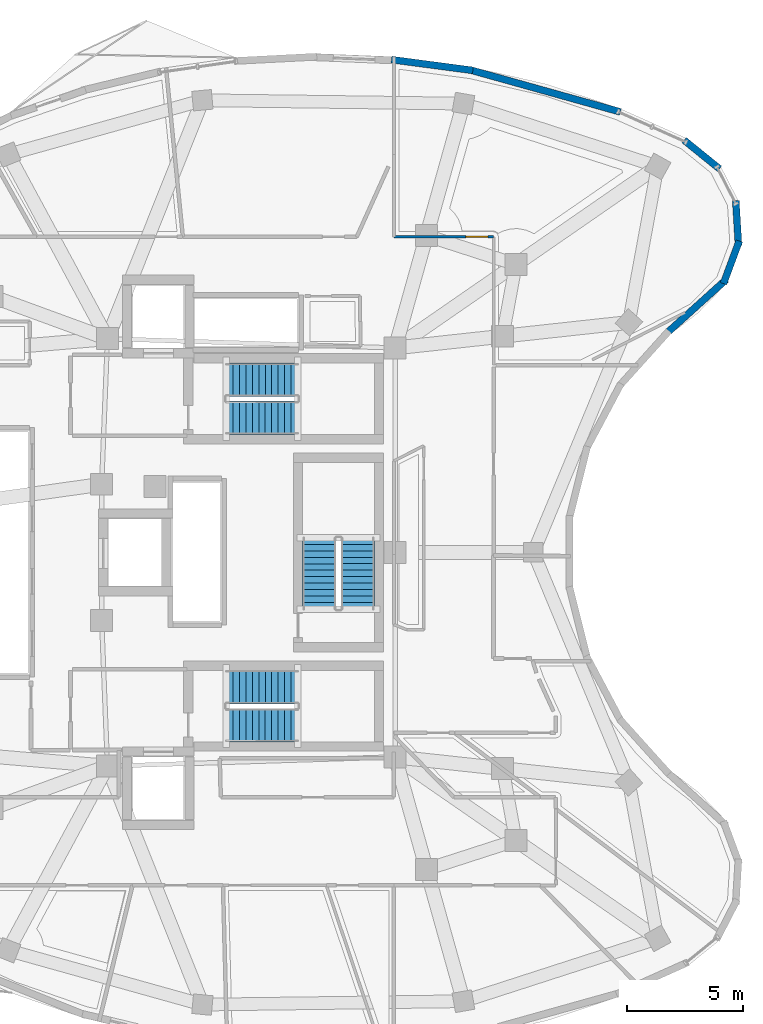
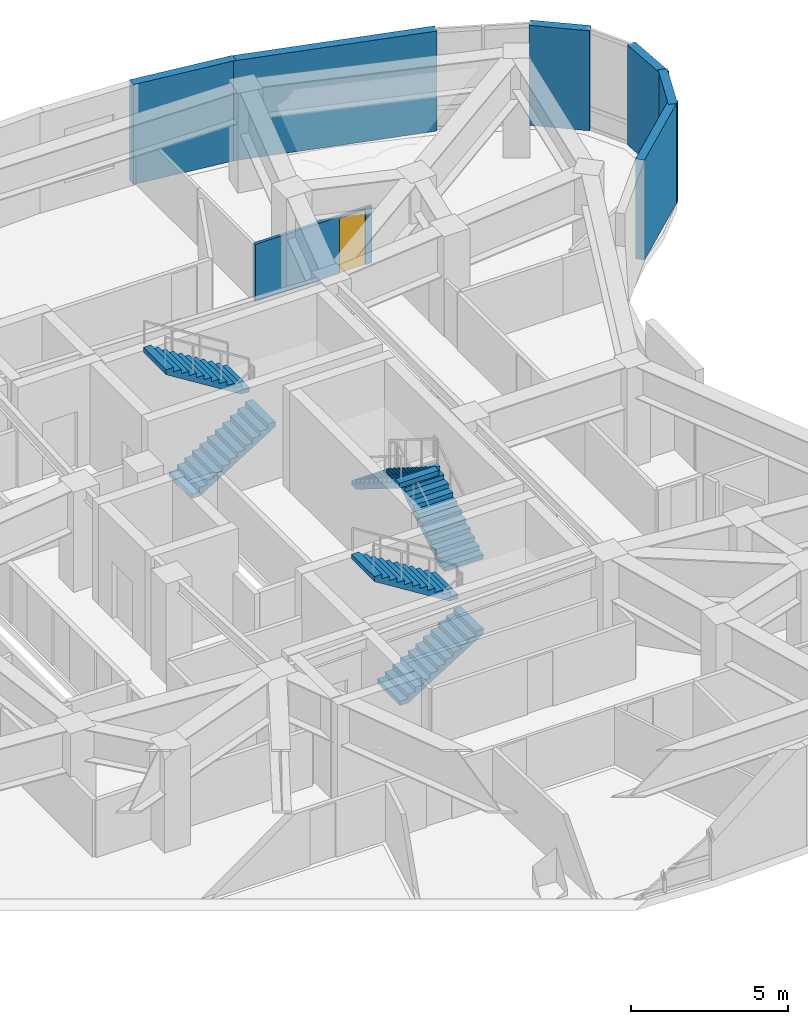
# One storey, part 10 of 13: 7 walls, 6 stair flights, 1 door, 1 opening, 3 elements without a shape of their own.
"""IFC4 building model written with IfcOpenShell, lengths in metres."""

from ifc_helpers import new_model, si_unit, direction, frame, frame_2d, origin, place, context, subcontext, project, spatial, polyline, rectangle, outline, extrude, material, layer, layer_set, type_object, element, fill, aggregate, save


model = new_model("IFC4")

# Units and contexts
model_context = context("Model", 3, precision=1e-05, world=origin(), true_north=direction((0.0, 1.0)))
body_context = subcontext(model_context, "Body", "Model", "MODEL_VIEW")
ifc_project = project(units=[si_unit("LENGTHUNIT", "METRE"), si_unit("AREAUNIT", "SQUARE_METRE"), si_unit("VOLUMEUNIT", "CUBIC_METRE"), si_unit("PLANEANGLEUNIT", "RADIAN"), si_unit("MASSUNIT", "GRAM", prefix="KILO")], contexts=[model_context])

# Site, building, storey
site_placement = place(None, origin())
site = spatial("IfcSite", under=ifc_project, at=site_placement, CompositionType="ELEMENT")
building_placement = place(site_placement, origin())
building = spatial("IfcBuilding", under=site, at=building_placement, Name="Korentha Bioscience Tower", CompositionType="ELEMENT")
storey_placement = place(building_placement, frame((0.0, 0.0, 256.199951171875)))
storey = spatial("IfcBuildingStorey", under=building, at=storey_placement, Name="L59", CompositionType="ELEMENT", Elevation=256.199951171875)

# Wall, opening, door
ifc_material_1 = material(Name="Fire-Rated Framed Glass", Category="glass")
ifc_layer_1 = layer(ifc_material_1, 0.110107421875, Name="Fire-Rated Framed Glass")
ifc_layer_set_1 = layer_set([ifc_layer_1], Name="Fire-Rated Framed Glass (IW-G110)")
wall_type_1 = type_object("IfcWallType", Name="Demountable Glazed Office Partition 110", PredefinedType="MOVABLE", material=ifc_layer_set_1)
wall_1_placement = place(storey_placement, frame((41.800048828125, 40.659912109375, 0.0), z_axis=(0.0, 0.0, 1.0), x_axis=(-1.0, 0.0, 0.0)))
wall_1 = element("IfcWall", 1, at=wall_1_placement, inside=storey, type_object=wall_type_1, Name="L59 Grant Review Seminar Room 17 Entrance Wall", PredefinedType="MOVABLE", context=body_context, shape_type="SweptSolid", body=[
    extrude(rectangle(XDim=4.298095703125, YDim=0.110107421875, at=frame_2d((2.14892578125, 0.0))), origin(), (0.0, 0.0, 1.0), 2.219970703125),
])
opening_placement = place(wall_1_placement, frame((0.239990234375, 0.0, 0.0)))
opening = element("IfcOpeningElement", 2, at=opening_placement, cuts=wall_1, Name="Opening ID-10R", PredefinedType="OPENING", context=body_context, shape_type="SweptSolid", body=[
    extrude(rectangle(XDim=0.949951171875, YDim=2.14990234375, at=frame_2d((0.47509765625, 1.074951171875))), frame((0.0, 0.06982421875, 0.0), z_axis=(0.0, -1.0, 0.0), x_axis=(1.0, 0.0, 0.0)), (0.0, 0.0, 1.0), 0.139892578125),
])
ifc_material_2 = material(Name="Phenolic Laminate Timber Core", Category="wood")
door_type = type_object("IfcDoorType", Name="Laboratory Single Leaf Door 950x2150 Right", OperationType="SINGLE_SWING_RIGHT", PredefinedType="DOOR", material=ifc_material_2)
door_placement = place(opening_placement, origin())
door = element("IfcDoor", 3, at=door_placement, inside=storey, type_object=door_type, Name="L59 Grant Review Seminar Room 17 Door", OperationType="SINGLE_SWING_RIGHT", OverallHeight=2.14990234375, OverallWidth=0.949951171875, PredefinedType="DOOR", context=body_context, shape_type="SweptSolid", body=[
    extrude(rectangle(XDim=0.949951171875, YDim=2.14990234375, at=frame_2d((0.47509765625, 1.074951171875))), frame((0.0, 0.02490234375, 0.0), z_axis=(0.0, -1.0, 0.0), x_axis=(1.0, 0.0, 0.0)), (0.0, 0.0, 1.0), 0.050048828125),
])
fill(opening, door)

# Walls
ifc_material_3 = material(Name="Honed Limestone Precast Concrete C40", Category="masonry")
ifc_layer_2 = layer(ifc_material_3, 0.300048828125, Name="Honed Limestone Precast Concrete C40")
ifc_layer_set_2 = layer_set([ifc_layer_2], Name="Honed Limestone Precast Concrete C40 (EW-ST300)")
wall_type_2 = type_object("IfcWallType", Name="Honed Limestone Cavity Spandrel Wall 300", PredefinedType="STANDARD", material=ifc_layer_set_2)
wall_2_placement = place(storey_placement, frame((47.3037109375, 46.06494140625, 0.0), z_axis=(0.0, 0.0, 1.0), x_axis=(-0.963088978794, 0.269183244138, 0.0)))
element("IfcWall", 4, at=wall_2_placement, inside=storey, type_object=wall_type_2, Name="L59 Limestone Perimeter Closure Wall 02", PredefinedType="STANDARD", context=body_context, shape_type="SweptSolid", body=[
    extrude(rectangle(XDim=6.812255859375, YDim=0.300048828125, at=frame_2d((3.40625, 0.0))), origin(), (0.0, 0.0, 1.0), 3.900146484375),
])
wall_3_placement = place(storey_placement, frame((40.91845703125, 47.862548828125, 0.0), z_axis=(0.0, 0.0, 1.0), x_axis=(-0.991358046751, 0.131183928672, 0.0)))
element("IfcWall", 5, at=wall_3_placement, inside=storey, type_object=wall_type_2, Name="L59 Limestone Perimeter Closure Wall 04", PredefinedType="STANDARD", context=body_context, shape_type="SweptSolid", body=[
    extrude(rectangle(XDim=3.558349609375, YDim=0.300048828125, at=frame_2d((1.779296875, 0.0))), origin(), (0.0, 0.0, 1.0), 3.900146484375),
])
wall_4_placement = place(storey_placement, frame((49.299560546875, 36.48388671875, 0.0), z_axis=(0.0, 0.0, 1.0), x_axis=(0.742603888691, 0.669730889612, 0.0)))
element("IfcWall", 6, at=wall_4_placement, inside=storey, type_object=wall_type_2, Name="L59 Limestone Perimeter Closure Wall 57", PredefinedType="STANDARD", context=body_context, shape_type="SweptSolid", body=[
    extrude(rectangle(XDim=3.484130859375, YDim=0.300048828125, at=frame_2d((1.7421875, 0.0))), origin(), (0.0, 0.0, 1.0), 3.900146484375),
])
for number, where, z_axis, x_axis, name in (
    (7, (51.76220703125, 38.633544921875, 0.0), (0.0, 0.0, 1.0), (0.347476023118, 0.9376888681, 0.0), "L59 Limestone Perimeter Closure Wall 59"),
    (8, (52.414306640625, 40.26611328125, 0.0), (0.0, 0.0, 1.0), (-0.060191547909, 0.998186845015, 0.0), "L59 Limestone Perimeter Closure Wall 60"),
):
    element("IfcWall", number, at=place(storey_placement, frame(where, z_axis=z_axis, x_axis=x_axis)), inside=storey, type_object=wall_type_2, Name=name, PredefinedType="STANDARD", context=body_context, shape_type="SweptSolid", body=[
        extrude(rectangle(XDim=1.96728515625, YDim=0.300048828125, at=frame_2d((0.983642578125, 0.0))), origin(), (0.0, 0.0, 1.0), 3.900146484375),
    ])
wall_5_placement = place(storey_placement, frame((51.587890625, 43.606201171875, 0.0), z_axis=(0.0, 0.0, 1.0), x_axis=(-0.777308452477, 0.629119678366, 0.0)))
element("IfcWall", 9, at=wall_5_placement, inside=storey, type_object=wall_type_2, Name="L59 Limestone Perimeter Closure Wall 62", PredefinedType="STANDARD", context=body_context, shape_type="SweptSolid", body=[
    extrude(rectangle(XDim=1.967041015625, YDim=0.300048828125, at=frame_2d((0.9833984375, 0.0))), origin(), (0.0, 0.0, 1.0), 3.900146484375),
])

# Stair, stair flights
ifc_material_4 = material(Name="Precast Concrete C50", Category="concrete")
stair_type = type_object("IfcStairType", Name="Core Exit Dog-Leg Stair 1450", PredefinedType="HALF_TURN_STAIR", material=ifc_material_4)
stair_1_placement = place(storey_placement, origin())
stair_1 = element("IfcStair", 10, at=stair_1_placement, inside=storey, type_object=stair_type, Name="L59 Tower North Pressurized Exit Stair ST-1", PredefinedType="HALF_TURN_STAIR")
stair_flight_type = type_object("IfcStairFlightType", Name="Core Exit Dog-Leg Stair 1450 Flight", PredefinedType="STRAIGHT", material=ifc_material_4)
stair_flight_1_placement = place(storey_placement, frame((30.25, 32.824951171875, 0.0), z_axis=(0.0, 0.0, 1.0), x_axis=(1.0, 0.0, 0.0)))
stair_flight_1 = element("IfcStairFlight", 11, at=stair_flight_1_placement, type_object=stair_flight_type, Name="ST-1 flight 1", NumberOfRisers=12, NumberOfTreads=11, PredefinedType="STRAIGHT", RiserHeight=0.175, TreadLength=0.28, context=body_context, shape_type="SweptSolid", body=[
    extrude(outline(polyline([(0.0, 0.0), (0.0, 0.175048828125), (0.280029296875, 0.175048828125), (0.280029296875, 0.35009765625), (0.56005859375, 0.35009765625), (0.56005859375, 0.52490234375), (0.840087890625, 0.52490234375), (0.840087890625, 0.699951171875), (1.1201171875, 0.699951171875), (1.1201171875, 0.875), (1.39990234375, 0.875), (1.39990234375, 1.050048828125), (1.679931640625, 1.050048828125), (1.679931640625, 1.22509765625), (1.9599609375, 1.22509765625), (1.9599609375, 1.39990234375), (2.239990234375, 1.39990234375), (2.239990234375, 1.574951171875), (2.52001953125, 1.574951171875), (2.52001953125, 1.75), (2.800048828125, 1.75), (2.800048828125, 1.925048828125), (3.080078125, 1.925048828125), (3.080078125, 2.10009765625), (3.080078125, 1.736328125), (0.3017578125, 0.0), (0.0, 0.0)])), frame((0.0, 0.72509765625, 0.0), z_axis=(0.0, -1.0, 0.0), x_axis=(1.0, 0.0, 0.0)), (0.0, 0.0, 1.0), 1.449951171875),
])
stair_flight_2_placement = place(storey_placement, frame((33.330078125, 34.47509765625, 2.10009765625), z_axis=(0.0, 0.0, 1.0), x_axis=(-1.0, 0.0, 0.0)))
stair_flight_2 = element("IfcStairFlight", 12, at=stair_flight_2_placement, type_object=stair_flight_type, Name="ST-1 flight 2", NumberOfRisers=12, NumberOfTreads=11, PredefinedType="STRAIGHT", RiserHeight=0.175, TreadLength=0.28, context=body_context, shape_type="SweptSolid", body=[
    extrude(outline(polyline([(0.0, 0.0), (0.0, 0.175048828125), (0.280029296875, 0.175048828125), (0.280029296875, 0.35009765625), (0.56005859375, 0.35009765625), (0.56005859375, 0.52490234375), (0.840087890625, 0.52490234375), (0.840087890625, 0.699951171875), (1.1201171875, 0.699951171875), (1.1201171875, 0.875), (1.39990234375, 0.875), (1.39990234375, 1.050048828125), (1.679931640625, 1.050048828125), (1.679931640625, 1.22509765625), (1.9599609375, 1.22509765625), (1.9599609375, 1.39990234375), (2.239990234375, 1.39990234375), (2.239990234375, 1.574951171875), (2.52001953125, 1.574951171875), (2.52001953125, 1.75), (2.800048828125, 1.75), (2.800048828125, 1.925048828125), (3.080078125, 1.925048828125), (3.080078125, 2.10009765625), (3.080078125, 1.736328125), (0.3017578125, 0.0), (0.0, 0.0)])), frame((0.0, 0.72509765625, 0.0), z_axis=(0.0, -1.0, 0.0), x_axis=(1.0, 0.0, 0.0)), (0.0, 0.0, 1.0), 1.449951171875),
])
aggregate(stair_1, [stair_flight_1, stair_flight_2])

stair_2_placement = place(storey_placement, origin())
stair_2 = element("IfcStair", 13, at=stair_2_placement, inside=storey, type_object=stair_type, Name="L59 Tower South Pressurized Exit Stair ST-2", PredefinedType="HALF_TURN_STAIR")
stair_flight_3_placement = place(storey_placement, frame((30.25, 19.52490234375, 0.0), z_axis=(0.0, 0.0, 1.0), x_axis=(1.0, 0.0, 0.0)))
stair_flight_3 = element("IfcStairFlight", 14, at=stair_flight_3_placement, type_object=stair_flight_type, Name="ST-2 flight 1", NumberOfRisers=12, NumberOfTreads=11, PredefinedType="STRAIGHT", RiserHeight=0.175, TreadLength=0.28, context=body_context, shape_type="SweptSolid", body=[
    extrude(outline(polyline([(0.0, 0.0), (0.0, 0.175048828125), (0.280029296875, 0.175048828125), (0.280029296875, 0.35009765625), (0.56005859375, 0.35009765625), (0.56005859375, 0.52490234375), (0.840087890625, 0.52490234375), (0.840087890625, 0.699951171875), (1.1201171875, 0.699951171875), (1.1201171875, 0.875), (1.39990234375, 0.875), (1.39990234375, 1.050048828125), (1.679931640625, 1.050048828125), (1.679931640625, 1.22509765625), (1.9599609375, 1.22509765625), (1.9599609375, 1.39990234375), (2.239990234375, 1.39990234375), (2.239990234375, 1.574951171875), (2.52001953125, 1.574951171875), (2.52001953125, 1.75), (2.800048828125, 1.75), (2.800048828125, 1.925048828125), (3.080078125, 1.925048828125), (3.080078125, 2.10009765625), (3.080078125, 1.736328125), (0.3017578125, 0.0), (0.0, 0.0)])), frame((0.0, 0.72509765625, 0.0), z_axis=(0.0, -1.0, 0.0), x_axis=(1.0, 0.0, 0.0)), (0.0, 0.0, 1.0), 1.449951171875),
])
stair_flight_4_placement = place(storey_placement, frame((33.330078125, 21.175048828125, 2.10009765625), z_axis=(0.0, 0.0, 1.0), x_axis=(-1.0, 0.0, 0.0)))
stair_flight_4 = element("IfcStairFlight", 15, at=stair_flight_4_placement, type_object=stair_flight_type, Name="ST-2 flight 2", NumberOfRisers=12, NumberOfTreads=11, PredefinedType="STRAIGHT", RiserHeight=0.175, TreadLength=0.28, context=body_context, shape_type="SweptSolid", body=[
    extrude(outline(polyline([(0.0, 0.0), (0.0, 0.175048828125), (0.280029296875, 0.175048828125), (0.280029296875, 0.35009765625), (0.56005859375, 0.35009765625), (0.56005859375, 0.52490234375), (0.840087890625, 0.52490234375), (0.840087890625, 0.699951171875), (1.1201171875, 0.699951171875), (1.1201171875, 0.875), (1.39990234375, 0.875), (1.39990234375, 1.050048828125), (1.679931640625, 1.050048828125), (1.679931640625, 1.22509765625), (1.9599609375, 1.22509765625), (1.9599609375, 1.39990234375), (2.239990234375, 1.39990234375), (2.239990234375, 1.574951171875), (2.52001953125, 1.574951171875), (2.52001953125, 1.75), (2.800048828125, 1.75), (2.800048828125, 1.925048828125), (3.080078125, 1.925048828125), (3.080078125, 2.10009765625), (3.080078125, 1.736328125), (0.3017578125, 0.0), (0.0, 0.0)])), frame((0.0, 0.72509765625, 0.0), z_axis=(0.0, -1.0, 0.0), x_axis=(1.0, 0.0, 0.0)), (0.0, 0.0, 1.0), 1.449951171875),
])
aggregate(stair_2, [stair_flight_3, stair_flight_4])

stair_3_placement = place(storey_placement, origin())
stair_3 = element("IfcStair", 16, at=stair_3_placement, inside=storey, type_object=stair_type, Name="L59 Tower Central Pressurized Exit Stair ST-3", PredefinedType="HALF_TURN_STAIR")
stair_flight_5_placement = place(storey_placement, frame((35.925048828125, 24.550048828125, 0.0), z_axis=(0.0, 0.0, 1.0), x_axis=(0.0, 1.0, 0.0)))
stair_flight_5 = element("IfcStairFlight", 17, at=stair_flight_5_placement, type_object=stair_flight_type, Name="ST-3 flight 1", NumberOfRisers=12, NumberOfTreads=11, PredefinedType="STRAIGHT", RiserHeight=0.175, TreadLength=0.28, context=body_context, shape_type="SweptSolid", body=[
    extrude(outline(polyline([(0.0, 0.0), (0.0, 0.175048828125), (0.280029296875, 0.175048828125), (0.280029296875, 0.35009765625), (0.56005859375, 0.35009765625), (0.56005859375, 0.52490234375), (0.840087890625, 0.52490234375), (0.840087890625, 0.699951171875), (1.1201171875, 0.699951171875), (1.1201171875, 0.875), (1.39990234375, 0.875), (1.39990234375, 1.050048828125), (1.679931640625, 1.050048828125), (1.679931640625, 1.22509765625), (1.9599609375, 1.22509765625), (1.9599609375, 1.39990234375), (2.239990234375, 1.39990234375), (2.239990234375, 1.574951171875), (2.52001953125, 1.574951171875), (2.52001953125, 1.75), (2.800048828125, 1.75), (2.800048828125, 1.925048828125), (3.080078125, 1.925048828125), (3.080078125, 2.10009765625), (3.080078125, 1.736328125), (0.3017578125, 0.0), (0.0, 0.0)])), frame((0.0, 0.72509765625, 0.0), z_axis=(0.0, -1.0, 0.0), x_axis=(1.0, 0.0, 0.0)), (0.0, 0.0, 1.0), 1.449951171875),
])
stair_flight_6_placement = place(storey_placement, frame((34.27490234375, 27.6298828125, 2.10009765625), z_axis=(0.0, 0.0, 1.0), x_axis=(0.0, -1.0, 0.0)))
stair_flight_6 = element("IfcStairFlight", 18, at=stair_flight_6_placement, type_object=stair_flight_type, Name="ST-3 flight 2", NumberOfRisers=12, NumberOfTreads=11, PredefinedType="STRAIGHT", RiserHeight=0.175, TreadLength=0.28, context=body_context, shape_type="SweptSolid", body=[
    extrude(outline(polyline([(0.0, 0.0), (0.0, 0.175048828125), (0.280029296875, 0.175048828125), (0.280029296875, 0.35009765625), (0.56005859375, 0.35009765625), (0.56005859375, 0.52490234375), (0.840087890625, 0.52490234375), (0.840087890625, 0.699951171875), (1.1201171875, 0.699951171875), (1.1201171875, 0.875), (1.39990234375, 0.875), (1.39990234375, 1.050048828125), (1.679931640625, 1.050048828125), (1.679931640625, 1.22509765625), (1.9599609375, 1.22509765625), (1.9599609375, 1.39990234375), (2.239990234375, 1.39990234375), (2.239990234375, 1.574951171875), (2.52001953125, 1.574951171875), (2.52001953125, 1.75), (2.800048828125, 1.75), (2.800048828125, 1.925048828125), (3.080078125, 1.925048828125), (3.080078125, 2.10009765625), (3.080078125, 1.736328125), (0.3017578125, 0.0), (0.0, 0.0)])), frame((0.0, 0.72509765625, 0.0), z_axis=(0.0, -1.0, 0.0), x_axis=(1.0, 0.0, 0.0)), (0.0, 0.0, 1.0), 1.449951171875),
])
aggregate(stair_3, [stair_flight_5, stair_flight_6])

save(model, "model.ifc")
